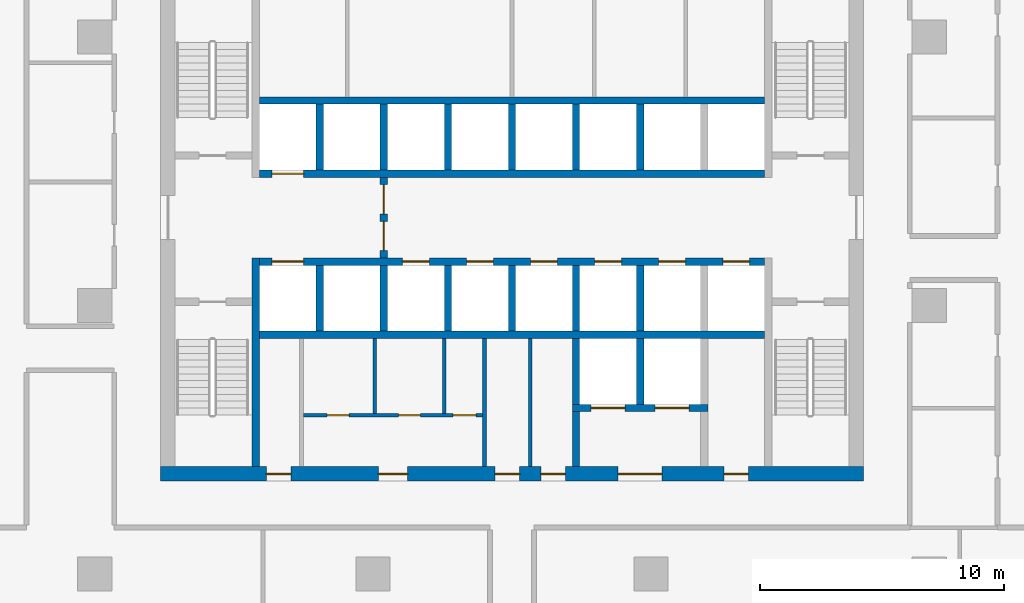
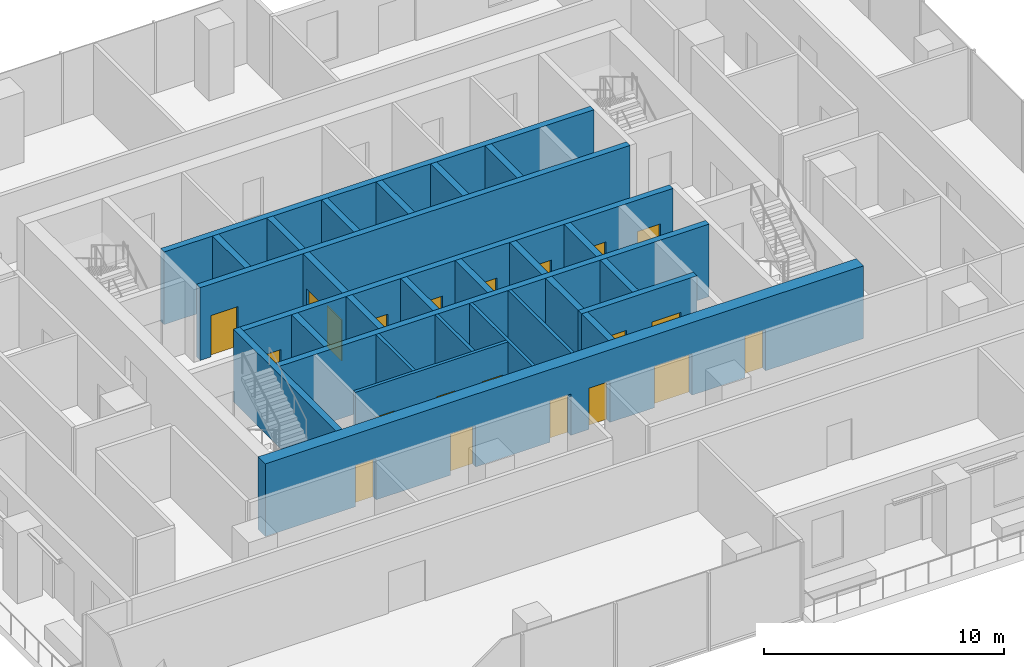
# One storey, part 8 of 14: 28 walls, 21 doors, 21 openings.
"""IFC4 building model written with IfcOpenShell, lengths in metres."""

from ifc_helpers import new_model, si_unit, direction, frame, frame_2d, origin, place, context, subcontext, project, spatial, rectangle, extrude, material, layer, layer_set, type_object, element, fill, save


model = new_model("IFC4")

# Units and contexts
model_context = context("Model", 3, precision=1e-05, world=origin(), true_north=direction((0.0, 1.0)))
body_context = subcontext(model_context, "Body", "Model", "MODEL_VIEW")
ifc_project = project(units=[si_unit("LENGTHUNIT", "METRE"), si_unit("AREAUNIT", "SQUARE_METRE"), si_unit("VOLUMEUNIT", "CUBIC_METRE"), si_unit("PLANEANGLEUNIT", "RADIAN"), si_unit("MASSUNIT", "GRAM", prefix="KILO")], contexts=[model_context])

# Site, building, storey
site_placement = place(None, origin())
site = spatial("IfcSite", under=ifc_project, at=site_placement, CompositionType="ELEMENT")
building_placement = place(site_placement, origin())
building = spatial("IfcBuilding", under=site, at=building_placement, Name="Mopane Tessera Tower", CompositionType="ELEMENT")
storey_placement = place(building_placement, frame((0.0, 0.0, 185.0)))
storey = spatial("IfcBuildingStorey", under=building, at=storey_placement, Name="L38", CompositionType="ELEMENT", Elevation=185.0)

# Wall, openings, doors
ifc_material_1 = material(Name="Fire-rated gypsum board partition")
ifc_layer_1 = layer(ifc_material_1, 0.14990234375)
ifc_layer_set_1 = layer_set([ifc_layer_1], Name="Fire-rated gypsum board partition")
wall_type_1 = type_object("IfcWallType", Name="Core room partition 150 mm", PredefinedType="PARTITIONING", material=ifc_layer_set_1)
wall_1_placement = place(storey_placement, frame((-8.550048828125, -4.5, 0.0), z_axis=(0.0, 0.0, 1.0), x_axis=(1.0, 0.0, 0.0)))
wall_1 = element("IfcWall", 1, at=wall_1_placement, inside=storey, type_object=wall_type_1, Name="L38 WC partition", PredefinedType="PARTITIONING", context=body_context, shape_type="SweptSolid", body=[
    extrude(rectangle(XDim=7.35009765625, YDim=0.14990234375, at=frame_2d((3.675048828125, 0.0))), origin(), (0.0, 0.0, 1.0), 3.699951171875),
])
opening_1_placement = place(wall_1_placement, frame((0.97509765625, 0.0, 0.0)))
opening_1 = element("IfcOpeningElement", 2, at=opening_1_placement, cuts=wall_1, Name="Opening WD1", PredefinedType="OPENING", context=body_context, shape_type="SweptSolid", body=[
    extrude(rectangle(XDim=0.89990234375, YDim=2.10009765625, at=frame_2d((0.449951171875, 1.050048828125))), frame((0.0, 0.0869140625, 0.0), z_axis=(0.0, -1.0, 0.0), x_axis=(1.0, 0.0, 0.0)), (0.0, 0.0, 1.0), 0.173828125),
])
opening_2_placement = place(wall_1_placement, frame((3.89990234375, 0.0, 0.0)))
opening_2 = element("IfcOpeningElement", 3, at=opening_2_placement, cuts=wall_1, Name="Opening WD1", PredefinedType="OPENING", context=body_context, shape_type="SweptSolid", body=[
    extrude(rectangle(XDim=0.89990234375, YDim=2.10009765625, at=frame_2d((0.449951171875, 1.050048828125))), frame((0.0, 0.0869140625, 0.0), z_axis=(0.0, -1.0, 0.0), x_axis=(1.0, 0.0, 0.0)), (0.0, 0.0, 1.0), 0.173828125),
])
opening_3_placement = place(wall_1_placement, frame((6.125, 0.0, 0.0)))
opening_3 = element("IfcOpeningElement", 4, at=opening_3_placement, cuts=wall_1, Name="Opening WD2", PredefinedType="OPENING", context=body_context, shape_type="SweptSolid", body=[
    extrude(rectangle(XDim=0.949951171875, YDim=2.10009765625, at=frame_2d((0.47509765625, 1.050048828125))), frame((0.0, 0.0869140625, 0.0), z_axis=(0.0, -1.0, 0.0), x_axis=(1.0, 0.0, 0.0)), (0.0, 0.0, 1.0), 0.173828125),
])
ifc_material_2 = material(Name="Timber door", Category="wood")
door_type_1 = type_object("IfcDoorType", Name="Accessible WC door 950 x 2100", OperationType="SINGLE_SWING_LEFT", PredefinedType="DOOR", material=ifc_material_2)
door_1_placement = place(opening_3_placement, origin())
door_1 = element("IfcDoor", 5, at=door_1_placement, inside=storey, type_object=door_type_1, Name="L38 Accessible WC door", OperationType="SINGLE_SWING_LEFT", OverallHeight=2.10009765625, OverallWidth=0.949951171875, PredefinedType="DOOR", context=body_context, shape_type="SweptSolid", body=[
    extrude(rectangle(XDim=0.949951171875, YDim=2.10009765625, at=frame_2d((0.47509765625, 1.050048828125))), frame((0.0, 0.02490234375, 0.0), z_axis=(0.0, -1.0, 0.0), x_axis=(1.0, 0.0, 0.0)), (0.0, 0.0, 1.0), 0.050048828125),
])
fill(opening_3, door_1)
ifc_material_3 = material(Name="Timber door", Category="wood")
door_type_2 = type_object("IfcDoorType", Name="WC cubicle door 900 x 2100", OperationType="SINGLE_SWING_LEFT", PredefinedType="DOOR", material=ifc_material_3)
door_2_placement = place(opening_1_placement, origin())
door_2 = element("IfcDoor", 6, at=door_2_placement, inside=storey, type_object=door_type_2, Name="L38 Men's WC door", OperationType="SINGLE_SWING_LEFT", OverallHeight=2.10009765625, OverallWidth=0.89990234375, PredefinedType="DOOR", context=body_context, shape_type="SweptSolid", body=[
    extrude(rectangle(XDim=0.89990234375, YDim=2.10009765625, at=frame_2d((0.449951171875, 1.050048828125))), frame((0.0, 0.02490234375, 0.0), z_axis=(0.0, -1.0, 0.0), x_axis=(1.0, 0.0, 0.0)), (0.0, 0.0, 1.0), 0.050048828125),
])
fill(opening_1, door_2)
door_3_placement = place(opening_2_placement, origin())
door_3 = element("IfcDoor", 7, at=door_3_placement, inside=storey, type_object=door_type_2, Name="L38 Women's WC door", OperationType="SINGLE_SWING_LEFT", OverallHeight=2.10009765625, OverallWidth=0.89990234375, PredefinedType="DOOR", context=body_context, shape_type="SweptSolid", body=[
    extrude(rectangle(XDim=0.89990234375, YDim=2.10009765625, at=frame_2d((0.449951171875, 1.050048828125))), frame((0.0, 0.02490234375, 0.0), z_axis=(0.0, -1.0, 0.0), x_axis=(1.0, 0.0, 0.0)), (0.0, 0.0, 1.0), 0.050048828125),
])
fill(opening_2, door_3)

# Walls
for number, where, z_axis, x_axis, name in (
    (8, (-5.625, -4.425048828125, 0.0), (0.0, 0.0, 1.0), (0.0, 1.0, 0.0), "L38 WC partition"),
    (9, (-2.77490234375, -4.425048828125, 0.0), (0.0, 0.0, 1.0), (0.0, 1.0, 0.0), "L38 WC partition"),
):
    element("IfcWall", number, at=place(storey_placement, frame(where, z_axis=z_axis, x_axis=x_axis)), inside=storey, type_object=wall_type_1, Name=name, PredefinedType="PARTITIONING", context=body_context, shape_type="SweptSolid", body=[
        extrude(rectangle(XDim=3.074951171875, YDim=0.14990234375, at=frame_2d((1.53759765625, 0.0))), origin(), (0.0, 0.0, 1.0), 3.699951171875),
    ])
for number, where, z_axis, x_axis, name in (
    (10, (-1.125, -6.60009765625, 0.0), (0.0, 0.0, 1.0), (0.0, 1.0, 0.0), "L38 Room partition"),
    (11, (0.75, -6.60009765625, 0.0), (0.0, 0.0, 1.0), (0.0, 1.0, 0.0), "L38 Room partition"),
):
    element("IfcWall", number, at=place(storey_placement, frame(where, z_axis=z_axis, x_axis=x_axis)), inside=storey, type_object=wall_type_1, Name=name, PredefinedType="PARTITIONING", context=body_context, shape_type="SweptSolid", body=[
        extrude(rectangle(XDim=5.25, YDim=0.14990234375, at=frame_2d((2.625, 0.0))), origin(), (0.0, 0.0, 1.0), 3.699951171875),
    ])

# Wall, openings, doors
ifc_material_4 = material(Name="Concrete C70/85", Category="concrete")
ifc_layer_2 = layer(ifc_material_4, 0.60009765625)
ifc_layer_set_2 = layer_set([ifc_layer_2], Name="Concrete C70/85")
wall_type_2 = type_object("IfcWallType", Name="Core shear wall 600 mm", PredefinedType="SHEAR", material=ifc_layer_set_2)
wall_2_placement = place(storey_placement, frame((-14.39990234375, -6.89990234375, 0.0), z_axis=(0.0, 0.0, 1.0), x_axis=(1.0, 0.0, 0.0)))
wall_2 = element("IfcWall", 12, at=wall_2_placement, inside=storey, type_object=wall_type_2, Name="L38 Core wall south", PredefinedType="SHEAR", context=body_context, shape_type="SweptSolid", body=[
    extrude(rectangle(XDim=28.7998046875, YDim=0.60009765625, at=frame_2d((14.39990234375, 0.0))), origin(), (0.0, 0.0, 1.0), 3.699951171875),
])
opening_4_placement = place(wall_2_placement, frame((4.33740234375, 0.0, 0.0)))
opening_4 = element("IfcOpeningElement", 13, at=opening_4_placement, cuts=wall_2, Name="Opening RD1", PredefinedType="OPENING", context=body_context, shape_type="SweptSolid", body=[
    extrude(rectangle(XDim=1.0, YDim=2.10009765625, at=frame_2d((0.5, 1.050048828125))), frame((0.0, 0.31201171875, 0.0), z_axis=(0.0, -1.0, 0.0), x_axis=(1.0, 0.0, 0.0)), (0.0, 0.0, 1.0), 0.6240234375),
])
opening_5_placement = place(wall_2_placement, frame((8.925048828125, 0.0, 0.0)))
opening_5 = element("IfcOpeningElement", 14, at=opening_5_placement, cuts=wall_2, Name="Opening WD3", PredefinedType="OPENING", context=body_context, shape_type="SweptSolid", body=[
    extrude(rectangle(XDim=1.199951171875, YDim=2.10009765625, at=frame_2d((0.60009765625, 1.050048828125))), frame((0.0, 0.31201171875, 0.0), z_axis=(0.0, -1.0, 0.0), x_axis=(1.0, 0.0, 0.0)), (0.0, 0.0, 1.0), 0.6240234375),
])
opening_6_placement = place(wall_2_placement, frame((13.71240234375, 0.0, 0.0)))
opening_6 = element("IfcOpeningElement", 15, at=opening_6_placement, cuts=wall_2, Name="Opening RD1", PredefinedType="OPENING", context=body_context, shape_type="SweptSolid", body=[
    extrude(rectangle(XDim=1.0, YDim=2.10009765625, at=frame_2d((0.5, 1.050048828125))), frame((0.0, 0.31201171875, 0.0), z_axis=(0.0, -1.0, 0.0), x_axis=(1.0, 0.0, 0.0)), (0.0, 0.0, 1.0), 0.6240234375),
])
opening_7_placement = place(wall_2_placement, frame((15.58740234375, 0.0, 0.0)))
opening_7 = element("IfcOpeningElement", 16, at=opening_7_placement, cuts=wall_2, Name="Opening RD1", PredefinedType="OPENING", context=body_context, shape_type="SweptSolid", body=[
    extrude(rectangle(XDim=1.0, YDim=2.10009765625, at=frame_2d((0.5, 1.050048828125))), frame((0.0, 0.31201171875, 0.0), z_axis=(0.0, -1.0, 0.0), x_axis=(1.0, 0.0, 0.0)), (0.0, 0.0, 1.0), 0.6240234375),
])
opening_8_placement = place(wall_2_placement, frame((18.75, 0.0, 0.0)))
opening_8 = element("IfcOpeningElement", 17, at=opening_8_placement, cuts=wall_2, Name="Opening SD2", PredefinedType="OPENING", context=body_context, shape_type="SweptSolid", body=[
    extrude(rectangle(XDim=1.800048828125, YDim=2.10009765625, at=frame_2d((0.89990234375, 1.050048828125))), frame((0.0, 0.31201171875, 0.0), z_axis=(0.0, -1.0, 0.0), x_axis=(1.0, 0.0, 0.0)), (0.0, 0.0, 1.0), 0.6240234375),
])
opening_9_placement = place(wall_2_placement, frame((23.08740234375, 0.0, 0.0)))
opening_9 = element("IfcOpeningElement", 18, at=opening_9_placement, cuts=wall_2, Name="Opening RD1", PredefinedType="OPENING", context=body_context, shape_type="SweptSolid", body=[
    extrude(rectangle(XDim=1.0, YDim=2.10009765625, at=frame_2d((0.5, 1.050048828125))), frame((0.0, 0.31201171875, 0.0), z_axis=(0.0, -1.0, 0.0), x_axis=(1.0, 0.0, 0.0)), (0.0, 0.0, 1.0), 0.6240234375),
])
ifc_material_5 = material(Name="Steel fire door", Category="steel")
door_type_3 = type_object("IfcDoorType", Name="Core entrance double door 1800 x 2100", OperationType="DOUBLE_DOOR_SINGLE_SWING", PredefinedType="DOOR", material=ifc_material_5)
door_4_placement = place(opening_8_placement, origin())
door_4 = element("IfcDoor", 19, at=door_4_placement, inside=storey, type_object=door_type_3, Name="L38 Service lobby door", OperationType="DOUBLE_DOOR_SINGLE_SWING", OverallHeight=2.10009765625, OverallWidth=1.800048828125, PredefinedType="DOOR", context=body_context, shape_type="SweptSolid", body=[
    extrude(rectangle(XDim=1.800048828125, YDim=2.10009765625, at=frame_2d((0.89990234375, 1.050048828125))), frame((0.0, 0.02490234375, 0.0), z_axis=(0.0, -1.0, 0.0), x_axis=(1.0, 0.0, 0.0)), (0.0, 0.0, 1.0), 0.050048828125),
])
fill(opening_8, door_4)
ifc_material_6 = material(Name="Timber door", Category="wood")
door_type_4 = type_object("IfcDoorType", Name="Core room door 1000 x 2100", OperationType="SINGLE_SWING_LEFT", PredefinedType="DOOR", material=ifc_material_6)
door_5_placement = place(opening_4_placement, origin())
door_5 = element("IfcDoor", 20, at=door_5_placement, inside=storey, type_object=door_type_4, Name="L38 Room door", OperationType="SINGLE_SWING_LEFT", OverallHeight=2.10009765625, OverallWidth=1.0, PredefinedType="DOOR", context=body_context, shape_type="SweptSolid", body=[
    extrude(rectangle(XDim=1.0, YDim=2.10009765625, at=frame_2d((0.5, 1.050048828125))), frame((0.0, 0.02490234375, 0.0), z_axis=(0.0, -1.0, 0.0), x_axis=(1.0, 0.0, 0.0)), (0.0, 0.0, 1.0), 0.050048828125),
])
fill(opening_4, door_5)
door_6_placement = place(opening_6_placement, origin())
door_6 = element("IfcDoor", 21, at=door_6_placement, inside=storey, type_object=door_type_4, Name="L38 Room door", OperationType="SINGLE_SWING_LEFT", OverallHeight=2.10009765625, OverallWidth=1.0, PredefinedType="DOOR", context=body_context, shape_type="SweptSolid", body=[
    extrude(rectangle(XDim=1.0, YDim=2.10009765625, at=frame_2d((0.5, 1.050048828125))), frame((0.0, 0.02490234375, 0.0), z_axis=(0.0, -1.0, 0.0), x_axis=(1.0, 0.0, 0.0)), (0.0, 0.0, 1.0), 0.050048828125),
])
fill(opening_6, door_6)
door_7_placement = place(opening_7_placement, origin())
door_7 = element("IfcDoor", 22, at=door_7_placement, inside=storey, type_object=door_type_4, Name="L38 Room door", OperationType="SINGLE_SWING_LEFT", OverallHeight=2.10009765625, OverallWidth=1.0, PredefinedType="DOOR", context=body_context, shape_type="SweptSolid", body=[
    extrude(rectangle(XDim=1.0, YDim=2.10009765625, at=frame_2d((0.5, 1.050048828125))), frame((0.0, 0.02490234375, 0.0), z_axis=(0.0, -1.0, 0.0), x_axis=(1.0, 0.0, 0.0)), (0.0, 0.0, 1.0), 0.050048828125),
])
fill(opening_7, door_7)
door_8_placement = place(opening_9_placement, origin())
door_8 = element("IfcDoor", 23, at=door_8_placement, inside=storey, type_object=door_type_4, Name="L38 Room door", OperationType="SINGLE_SWING_LEFT", OverallHeight=2.10009765625, OverallWidth=1.0, PredefinedType="DOOR", context=body_context, shape_type="SweptSolid", body=[
    extrude(rectangle(XDim=1.0, YDim=2.10009765625, at=frame_2d((0.5, 1.050048828125))), frame((0.0, 0.02490234375, 0.0), z_axis=(0.0, -1.0, 0.0), x_axis=(1.0, 0.0, 0.0)), (0.0, 0.0, 1.0), 0.050048828125),
])
fill(opening_9, door_8)
ifc_material_7 = material(Name="Timber door", Category="wood")
door_type_5 = type_object("IfcDoorType", Name="WC lobby door 1200 x 2100", OperationType="SINGLE_SWING_LEFT", PredefinedType="DOOR", material=ifc_material_7)
door_9_placement = place(opening_5_placement, origin())
door_9 = element("IfcDoor", 24, at=door_9_placement, inside=storey, type_object=door_type_5, Name="L38 WC lobby door", OperationType="SINGLE_SWING_LEFT", OverallHeight=2.10009765625, OverallWidth=1.199951171875, PredefinedType="DOOR", context=body_context, shape_type="SweptSolid", body=[
    extrude(rectangle(XDim=1.199951171875, YDim=2.10009765625, at=frame_2d((0.60009765625, 1.050048828125))), frame((0.0, 0.02490234375, 0.0), z_axis=(0.0, -1.0, 0.0), x_axis=(1.0, 0.0, 0.0)), (0.0, 0.0, 1.0), 0.050048828125),
])
fill(opening_5, door_9)

# Walls
ifc_material_8 = material(Name="Concrete C60/75", Category="concrete")
ifc_layer_3 = layer(ifc_material_8, 0.300048828125)
ifc_layer_set_3 = layer_set([ifc_layer_3], Name="Concrete C60/75")
wall_type_3 = type_object("IfcWallType", Name="Core spine wall 300 mm", PredefinedType="SHEAR", material=ifc_layer_set_3)
wall_3_placement = place(storey_placement, frame((-10.5, -6.60009765625, 0.0), z_axis=(0.0, 0.0, 1.0), x_axis=(0.0, 1.0, 0.0)))
element("IfcWall", 25, at=wall_3_placement, inside=storey, type_object=wall_type_3, Name="L38 Core spine wall", PredefinedType="SHEAR", context=body_context, shape_type="SweptSolid", body=[
    extrude(rectangle(XDim=8.550048828125, YDim=0.300048828125, at=frame_2d((4.27490234375, 0.0))), origin(), (0.0, 0.0, 1.0), 3.699951171875),
])
ifc_material_9 = material(Name="Concrete C50/60", Category="concrete")
ifc_layer_4 = layer(ifc_material_9, 0.300048828125)
ifc_layer_set_4 = layer_set([ifc_layer_4], Name="Concrete C50/60")
wall_type_4 = type_object("IfcWallType", Name="Lift and stair shaft wall 300 mm", PredefinedType="SOLIDWALL", material=ifc_layer_set_4)
wall_4_placement = place(storey_placement, frame((-10.35009765625, -1.199951171875, 0.0), z_axis=(0.0, 0.0, 1.0), x_axis=(1.0, 0.0, 0.0)))
element("IfcWall", 26, at=wall_4_placement, inside=storey, type_object=wall_type_4, Name="L38 Lift shaft rear wall", PredefinedType="SOLIDWALL", context=body_context, shape_type="SweptSolid", body=[
    extrude(rectangle(XDim=20.7001953125, YDim=0.300048828125, at=frame_2d((10.35009765625, 0.0))), origin(), (0.0, 0.0, 1.0), 3.699951171875),
])

# Wall, openings, doors
wall_5_placement = place(storey_placement, frame((-10.35009765625, 1.800048828125, 0.0), z_axis=(0.0, 0.0, 1.0), x_axis=(1.0, 0.0, 0.0)))
wall_5 = element("IfcWall", 27, at=wall_5_placement, inside=storey, type_object=wall_type_4, Name="L38 Lift shaft front wall", PredefinedType="SOLIDWALL", context=body_context, shape_type="SweptSolid", body=[
    extrude(rectangle(XDim=20.7001953125, YDim=0.300048828125, at=frame_2d((10.35009765625, 0.0))), origin(), (0.0, 0.0, 1.0), 3.699951171875),
])
opening_10_placement = place(wall_5_placement, frame((0.512451171875, 0.0, 0.0)))
opening_10 = element("IfcOpeningElement", 28, at=opening_10_placement, cuts=wall_5, Name="Opening LD2", PredefinedType="OPENING", context=body_context, shape_type="SweptSolid", body=[
    extrude(rectangle(XDim=1.300048828125, YDim=2.10009765625, at=frame_2d((0.64990234375, 1.050048828125))), frame((0.0, 0.162109375, 0.0), z_axis=(0.0, -1.0, 0.0), x_axis=(1.0, 0.0, 0.0)), (0.0, 0.0, 1.0), 0.323974609375),
])
opening_11_placement = place(wall_5_placement, frame((5.862548828125, 0.0, 0.0)))
opening_11 = element("IfcOpeningElement", 29, at=opening_11_placement, cuts=wall_5, Name="Opening LD", PredefinedType="OPENING", context=body_context, shape_type="SweptSolid", body=[
    extrude(rectangle(XDim=1.10009765625, YDim=2.10009765625, at=frame_2d((0.550048828125, 1.050048828125))), frame((0.0, 0.162109375, 0.0), z_axis=(0.0, -1.0, 0.0), x_axis=(1.0, 0.0, 0.0)), (0.0, 0.0, 1.0), 0.323974609375),
])
opening_12_placement = place(wall_5_placement, frame((8.487548828125, 0.0, 0.0)))
opening_12 = element("IfcOpeningElement", 30, at=opening_12_placement, cuts=wall_5, Name="Opening LD", PredefinedType="OPENING", context=body_context, shape_type="SweptSolid", body=[
    extrude(rectangle(XDim=1.10009765625, YDim=2.10009765625, at=frame_2d((0.550048828125, 1.050048828125))), frame((0.0, 0.162109375, 0.0), z_axis=(0.0, -1.0, 0.0), x_axis=(1.0, 0.0, 0.0)), (0.0, 0.0, 1.0), 0.323974609375),
])
opening_13_placement = place(wall_5_placement, frame((11.112548828125, 0.0, 0.0)))
opening_13 = element("IfcOpeningElement", 31, at=opening_13_placement, cuts=wall_5, Name="Opening LD", PredefinedType="OPENING", context=body_context, shape_type="SweptSolid", body=[
    extrude(rectangle(XDim=1.10009765625, YDim=2.10009765625, at=frame_2d((0.550048828125, 1.050048828125))), frame((0.0, 0.162109375, 0.0), z_axis=(0.0, -1.0, 0.0), x_axis=(1.0, 0.0, 0.0)), (0.0, 0.0, 1.0), 0.323974609375),
])
opening_14_placement = place(wall_5_placement, frame((13.737548828125, 0.0, 0.0)))
opening_14 = element("IfcOpeningElement", 32, at=opening_14_placement, cuts=wall_5, Name="Opening LD", PredefinedType="OPENING", context=body_context, shape_type="SweptSolid", body=[
    extrude(rectangle(XDim=1.10009765625, YDim=2.10009765625, at=frame_2d((0.550048828125, 1.050048828125))), frame((0.0, 0.162109375, 0.0), z_axis=(0.0, -1.0, 0.0), x_axis=(1.0, 0.0, 0.0)), (0.0, 0.0, 1.0), 0.323974609375),
])
opening_15_placement = place(wall_5_placement, frame((16.362548828125, 0.0, 0.0)))
opening_15 = element("IfcOpeningElement", 33, at=opening_15_placement, cuts=wall_5, Name="Opening LD", PredefinedType="OPENING", context=body_context, shape_type="SweptSolid", body=[
    extrude(rectangle(XDim=1.10009765625, YDim=2.10009765625, at=frame_2d((0.550048828125, 1.050048828125))), frame((0.0, 0.162109375, 0.0), z_axis=(0.0, -1.0, 0.0), x_axis=(1.0, 0.0, 0.0)), (0.0, 0.0, 1.0), 0.323974609375),
])
opening_16_placement = place(wall_5_placement, frame((18.987548828125, 0.0, 0.0)))
opening_16 = element("IfcOpeningElement", 34, at=opening_16_placement, cuts=wall_5, Name="Opening LD", PredefinedType="OPENING", context=body_context, shape_type="SweptSolid", body=[
    extrude(rectangle(XDim=1.10009765625, YDim=2.10009765625, at=frame_2d((0.550048828125, 1.050048828125))), frame((0.0, 0.162109375, 0.0), z_axis=(0.0, -1.0, 0.0), x_axis=(1.0, 0.0, 0.0)), (0.0, 0.0, 1.0), 0.323974609375),
])
ifc_material_10 = material(Name="Stainless steel sliding door", Category="steel")
door_type_6 = type_object("IfcDoorType", Name="Fire-fighting lift landing door 1300 x 2100", OperationType="DOUBLE_DOOR_SLIDING", PredefinedType="DOOR", material=ifc_material_10)
door_10_placement = place(opening_10_placement, origin())
door_10 = element("IfcDoor", 35, at=door_10_placement, inside=storey, type_object=door_type_6, Name="L38 Lift landing door FF1", OperationType="DOUBLE_DOOR_SLIDING", OverallHeight=2.10009765625, OverallWidth=1.300048828125, PredefinedType="DOOR", context=body_context, shape_type="SweptSolid", body=[
    extrude(rectangle(XDim=1.300048828125, YDim=2.10009765625, at=frame_2d((0.64990234375, 1.050048828125))), frame((0.0, 0.02490234375, 0.0), z_axis=(0.0, -1.0, 0.0), x_axis=(1.0, 0.0, 0.0)), (0.0, 0.0, 1.0), 0.050048828125),
])
fill(opening_10, door_10)
ifc_material_11 = material(Name="Stainless steel sliding door", Category="steel")
door_type_7 = type_object("IfcDoorType", Name="Lift landing door 1100 x 2100", OperationType="DOUBLE_DOOR_SLIDING", PredefinedType="DOOR", material=ifc_material_11)
door_11_placement = place(opening_11_placement, origin())
door_11 = element("IfcDoor", 36, at=door_11_placement, inside=storey, type_object=door_type_7, Name="L38 Lift landing door LR1", OperationType="DOUBLE_DOOR_SLIDING", OverallHeight=2.10009765625, OverallWidth=1.10009765625, PredefinedType="DOOR", context=body_context, shape_type="SweptSolid", body=[
    extrude(rectangle(XDim=1.10009765625, YDim=2.10009765625, at=frame_2d((0.550048828125, 1.050048828125))), frame((0.0, 0.02490234375, 0.0), z_axis=(0.0, -1.0, 0.0), x_axis=(1.0, 0.0, 0.0)), (0.0, 0.0, 1.0), 0.050048828125),
])
fill(opening_11, door_11)
door_12_placement = place(opening_12_placement, origin())
door_12 = element("IfcDoor", 37, at=door_12_placement, inside=storey, type_object=door_type_7, Name="L38 Lift landing door LR2", OperationType="DOUBLE_DOOR_SLIDING", OverallHeight=2.10009765625, OverallWidth=1.10009765625, PredefinedType="DOOR", context=body_context, shape_type="SweptSolid", body=[
    extrude(rectangle(XDim=1.10009765625, YDim=2.10009765625, at=frame_2d((0.550048828125, 1.050048828125))), frame((0.0, 0.02490234375, 0.0), z_axis=(0.0, -1.0, 0.0), x_axis=(1.0, 0.0, 0.0)), (0.0, 0.0, 1.0), 0.050048828125),
])
fill(opening_12, door_12)
door_13_placement = place(opening_13_placement, origin())
door_13 = element("IfcDoor", 38, at=door_13_placement, inside=storey, type_object=door_type_7, Name="L38 Lift landing door LR3", OperationType="DOUBLE_DOOR_SLIDING", OverallHeight=2.10009765625, OverallWidth=1.10009765625, PredefinedType="DOOR", context=body_context, shape_type="SweptSolid", body=[
    extrude(rectangle(XDim=1.10009765625, YDim=2.10009765625, at=frame_2d((0.550048828125, 1.050048828125))), frame((0.0, 0.02490234375, 0.0), z_axis=(0.0, -1.0, 0.0), x_axis=(1.0, 0.0, 0.0)), (0.0, 0.0, 1.0), 0.050048828125),
])
fill(opening_13, door_13)
door_14_placement = place(opening_14_placement, origin())
door_14 = element("IfcDoor", 39, at=door_14_placement, inside=storey, type_object=door_type_7, Name="L38 Lift landing door LR4", OperationType="DOUBLE_DOOR_SLIDING", OverallHeight=2.10009765625, OverallWidth=1.10009765625, PredefinedType="DOOR", context=body_context, shape_type="SweptSolid", body=[
    extrude(rectangle(XDim=1.10009765625, YDim=2.10009765625, at=frame_2d((0.550048828125, 1.050048828125))), frame((0.0, 0.02490234375, 0.0), z_axis=(0.0, -1.0, 0.0), x_axis=(1.0, 0.0, 0.0)), (0.0, 0.0, 1.0), 0.050048828125),
])
fill(opening_14, door_14)
door_15_placement = place(opening_15_placement, origin())
door_15 = element("IfcDoor", 40, at=door_15_placement, inside=storey, type_object=door_type_7, Name="L38 Lift landing door LR5", OperationType="DOUBLE_DOOR_SLIDING", OverallHeight=2.10009765625, OverallWidth=1.10009765625, PredefinedType="DOOR", context=body_context, shape_type="SweptSolid", body=[
    extrude(rectangle(XDim=1.10009765625, YDim=2.10009765625, at=frame_2d((0.550048828125, 1.050048828125))), frame((0.0, 0.02490234375, 0.0), z_axis=(0.0, -1.0, 0.0), x_axis=(1.0, 0.0, 0.0)), (0.0, 0.0, 1.0), 0.050048828125),
])
fill(opening_15, door_15)
door_16_placement = place(opening_16_placement, origin())
door_16 = element("IfcDoor", 41, at=door_16_placement, inside=storey, type_object=door_type_7, Name="L38 Lift landing door LR6", OperationType="DOUBLE_DOOR_SLIDING", OverallHeight=2.10009765625, OverallWidth=1.10009765625, PredefinedType="DOOR", context=body_context, shape_type="SweptSolid", body=[
    extrude(rectangle(XDim=1.10009765625, YDim=2.10009765625, at=frame_2d((0.550048828125, 1.050048828125))), frame((0.0, 0.02490234375, 0.0), z_axis=(0.0, -1.0, 0.0), x_axis=(1.0, 0.0, 0.0)), (0.0, 0.0, 1.0), 0.050048828125),
])
fill(opening_16, door_16)

# Wall, opening, door
wall_6_placement = place(storey_placement, frame((-10.35009765625, 5.39990234375, 0.0), z_axis=(0.0, 0.0, 1.0), x_axis=(1.0, 0.0, 0.0)))
wall_6 = element("IfcWall", 42, at=wall_6_placement, inside=storey, type_object=wall_type_4, Name="L38 Lift shaft front wall", PredefinedType="SOLIDWALL", context=body_context, shape_type="SweptSolid", body=[
    extrude(rectangle(XDim=20.7001953125, YDim=0.300048828125, at=frame_2d((10.35009765625, 0.0))), origin(), (0.0, 0.0, 1.0), 3.699951171875),
])
opening_17_placement = place(wall_6_placement, frame((0.512451171875, 0.0, 0.0)))
opening_17 = element("IfcOpeningElement", 43, at=opening_17_placement, cuts=wall_6, Name="Opening LD2", PredefinedType="OPENING", context=body_context, shape_type="SweptSolid", body=[
    extrude(rectangle(XDim=1.300048828125, YDim=2.10009765625, at=frame_2d((0.64990234375, 1.050048828125))), frame((0.0, 0.162109375, 0.0), z_axis=(0.0, -1.0, 0.0), x_axis=(1.0, 0.0, 0.0)), (0.0, 0.0, 1.0), 0.323974609375),
])
door_17_placement = place(opening_17_placement, origin())
door_17 = element("IfcDoor", 44, at=door_17_placement, inside=storey, type_object=door_type_6, Name="L38 Lift landing door FF2", OperationType="DOUBLE_DOOR_SLIDING", OverallHeight=2.10009765625, OverallWidth=1.300048828125, PredefinedType="DOOR", context=body_context, shape_type="SweptSolid", body=[
    extrude(rectangle(XDim=1.300048828125, YDim=2.10009765625, at=frame_2d((0.64990234375, 1.050048828125))), frame((0.0, 0.02490234375, 0.0), z_axis=(0.0, -1.0, 0.0), x_axis=(1.0, 0.0, 0.0)), (0.0, 0.0, 1.0), 0.050048828125),
])
fill(opening_17, door_17)

# Walls
wall_7_placement = place(storey_placement, frame((-10.35009765625, 8.39990234375, 0.0), z_axis=(0.0, 0.0, 1.0), x_axis=(1.0, 0.0, 0.0)))
element("IfcWall", 45, at=wall_7_placement, inside=storey, type_object=wall_type_4, Name="L38 Lift shaft rear wall", PredefinedType="SOLIDWALL", context=body_context, shape_type="SweptSolid", body=[
    extrude(rectangle(XDim=20.7001953125, YDim=0.300048828125, at=frame_2d((10.35009765625, 0.0))), origin(), (0.0, 0.0, 1.0), 3.699951171875),
])
for number, where, z_axis, x_axis, name in (
    (46, (-7.875, -1.050048828125, 0.0), (0.0, 0.0, 1.0), (0.0, 1.0, 0.0), "L38 Lift shaft wall"),
    (47, (-5.25, -1.050048828125, 0.0), (0.0, 0.0, 1.0), (0.0, 1.0, 0.0), "L38 Lift shaft wall"),
    (48, (-2.625, -1.050048828125, 0.0), (0.0, 0.0, 1.0), (0.0, 1.0, 0.0), "L38 Lift shaft wall"),
    (49, (0.0, -1.050048828125, 0.0), (0.0, 0.0, 1.0), (0.0, 1.0, 0.0), "L38 Lift shaft wall"),
    (50, (2.625, -1.050048828125, 0.0), (0.0, 0.0, 1.0), (0.0, 1.0, 0.0), "L38 Lift shaft wall"),
    (51, (5.25, -1.050048828125, 0.0), (0.0, 0.0, 1.0), (0.0, 1.0, 0.0), "L38 Lift shaft wall"),
    (52, (-7.875, 5.550048828125, 0.0), (0.0, 0.0, 1.0), (0.0, 1.0, 0.0), "L38 Lift shaft wall"),
    (53, (-5.25, 5.550048828125, 0.0), (0.0, 0.0, 1.0), (0.0, 1.0, 0.0), "L38 Lift shaft wall"),
    (54, (-2.625, 5.550048828125, 0.0), (0.0, 0.0, 1.0), (0.0, 1.0, 0.0), "L38 Lift shaft wall"),
    (55, (0.0, 5.550048828125, 0.0), (0.0, 0.0, 1.0), (0.0, 1.0, 0.0), "L38 Lift shaft wall"),
    (56, (2.625, 5.550048828125, 0.0), (0.0, 0.0, 1.0), (0.0, 1.0, 0.0), "L38 Lift shaft wall"),
    (57, (5.25, 5.550048828125, 0.0), (0.0, 0.0, 1.0), (0.0, 1.0, 0.0), "L38 Lift shaft wall"),
):
    element("IfcWall", number, at=place(storey_placement, frame(where, z_axis=z_axis, x_axis=x_axis)), inside=storey, type_object=wall_type_4, Name=name, PredefinedType="SOLIDWALL", context=body_context, shape_type="SweptSolid", body=[
        extrude(rectangle(XDim=2.699951171875, YDim=0.300048828125, at=frame_2d((1.35009765625, 0.0))), origin(), (0.0, 0.0, 1.0), 3.699951171875),
    ])

# Wall, openings, doors
wall_8_placement = place(storey_placement, frame((2.47509765625, -4.199951171875, 0.0), z_axis=(0.0, 0.0, 1.0), x_axis=(1.0, 0.0, 0.0)))
wall_8 = element("IfcWall", 58, at=wall_8_placement, inside=storey, type_object=wall_type_4, Name="L38 Lift shaft front wall", PredefinedType="SOLIDWALL", context=body_context, shape_type="SweptSolid", body=[
    extrude(rectangle(XDim=5.5498046875, YDim=0.300048828125, at=frame_2d((2.77490234375, 0.0))), origin(), (0.0, 0.0, 1.0), 3.699951171875),
])
opening_18_placement = place(wall_8_placement, frame((0.762451171875, 0.0, 0.0)))
opening_18 = element("IfcOpeningElement", 59, at=opening_18_placement, cuts=wall_8, Name="Opening LD3", PredefinedType="OPENING", context=body_context, shape_type="SweptSolid", body=[
    extrude(rectangle(XDim=1.39990234375, YDim=2.10009765625, at=frame_2d((0.699951171875, 1.050048828125))), frame((0.0, 0.162109375, 0.0), z_axis=(0.0, -1.0, 0.0), x_axis=(1.0, 0.0, 0.0)), (0.0, 0.0, 1.0), 0.323974609375),
])
opening_19_placement = place(wall_8_placement, frame((3.387451171875, 0.0, 0.0)))
opening_19 = element("IfcOpeningElement", 60, at=opening_19_placement, cuts=wall_8, Name="Opening LD3", PredefinedType="OPENING", context=body_context, shape_type="SweptSolid", body=[
    extrude(rectangle(XDim=1.39990234375, YDim=2.10009765625, at=frame_2d((0.699951171875, 1.050048828125))), frame((0.0, 0.162109375, 0.0), z_axis=(0.0, -1.0, 0.0), x_axis=(1.0, 0.0, 0.0)), (0.0, 0.0, 1.0), 0.323974609375),
])
ifc_material_12 = material(Name="Stainless steel sliding door", Category="steel")
door_type_8 = type_object("IfcDoorType", Name="Service lift landing door 1400 x 2100", OperationType="DOUBLE_DOOR_SLIDING", PredefinedType="DOOR", material=ifc_material_12)
door_18_placement = place(opening_18_placement, origin())
door_18 = element("IfcDoor", 61, at=door_18_placement, inside=storey, type_object=door_type_8, Name="L38 Lift landing door SV1", OperationType="DOUBLE_DOOR_SLIDING", OverallHeight=2.10009765625, OverallWidth=1.39990234375, PredefinedType="DOOR", context=body_context, shape_type="SweptSolid", body=[
    extrude(rectangle(XDim=1.39990234375, YDim=2.10009765625, at=frame_2d((0.699951171875, 1.050048828125))), frame((0.0, 0.02490234375, 0.0), z_axis=(0.0, -1.0, 0.0), x_axis=(1.0, 0.0, 0.0)), (0.0, 0.0, 1.0), 0.050048828125),
])
fill(opening_18, door_18)
door_19_placement = place(opening_19_placement, origin())
door_19 = element("IfcDoor", 62, at=door_19_placement, inside=storey, type_object=door_type_8, Name="L38 Lift landing door SV2", OperationType="DOUBLE_DOOR_SLIDING", OverallHeight=2.10009765625, OverallWidth=1.39990234375, PredefinedType="DOOR", context=body_context, shape_type="SweptSolid", body=[
    extrude(rectangle(XDim=1.39990234375, YDim=2.10009765625, at=frame_2d((0.699951171875, 1.050048828125))), frame((0.0, 0.02490234375, 0.0), z_axis=(0.0, -1.0, 0.0), x_axis=(1.0, 0.0, 0.0)), (0.0, 0.0, 1.0), 0.050048828125),
])
fill(opening_19, door_19)

# Walls
for number, where, z_axis, x_axis, name in (
    (63, (2.625, -4.050048828125, 0.0), (0.0, 0.0, 1.0), (0.0, 1.0, 0.0), "L38 Lift shaft wall"),
    (64, (5.25, -4.050048828125, 0.0), (0.0, 0.0, 1.0), (0.0, 1.0, 0.0), "L38 Lift shaft wall"),
):
    element("IfcWall", number, at=place(storey_placement, frame(where, z_axis=z_axis, x_axis=x_axis)), inside=storey, type_object=wall_type_4, Name=name, PredefinedType="SOLIDWALL", context=body_context, shape_type="SweptSolid", body=[
        extrude(rectangle(XDim=2.699951171875, YDim=0.300048828125, at=frame_2d((1.35009765625, 0.0))), origin(), (0.0, 0.0, 1.0), 3.699951171875),
    ])

# Wall, openings, doors
ifc_material_13 = material(Name="Concrete C50/60", Category="concrete")
ifc_layer_5 = layer(ifc_material_13, 0.300048828125)
ifc_layer_set_5 = layer_set([ifc_layer_5], Name="Concrete C50/60")
wall_type_5 = type_object("IfcWallType", Name="Lobby and refuge room wall 300 mm", PredefinedType="SOLIDWALL", material=ifc_layer_set_5)
wall_9_placement = place(storey_placement, frame((-5.25, 1.949951171875, 0.0), z_axis=(0.0, 0.0, 1.0), x_axis=(0.0, 1.0, 0.0)))
wall_9 = element("IfcWall", 65, at=wall_9_placement, inside=storey, type_object=wall_type_5, Name="L38 Fire-fighting lobby wall", PredefinedType="SOLIDWALL", context=body_context, shape_type="SweptSolid", body=[
    extrude(rectangle(XDim=3.300048828125, YDim=0.300048828125, at=frame_2d((1.64990234375, 0.0))), origin(), (0.0, 0.0, 1.0), 3.699951171875),
])
opening_20_placement = place(wall_9_placement, frame((0.300048828125, 0.0, 0.0)))
opening_20 = element("IfcOpeningElement", 66, at=opening_20_placement, cuts=wall_9, Name="Opening SD3", PredefinedType="OPENING", context=body_context, shape_type="SweptSolid", body=[
    extrude(rectangle(XDim=1.199951171875, YDim=2.10009765625, at=frame_2d((0.60009765625, 1.050048828125))), frame((0.0, 0.162109375, 0.0), z_axis=(0.0, -1.0, 0.0), x_axis=(1.0, 0.0, 0.0)), (0.0, 0.0, 1.0), 0.323974609375),
])
opening_21_placement = place(wall_9_placement, frame((1.800048828125, 0.0, 0.0)))
opening_21 = element("IfcOpeningElement", 67, at=opening_21_placement, cuts=wall_9, Name="Opening SD3", PredefinedType="OPENING", context=body_context, shape_type="SweptSolid", body=[
    extrude(rectangle(XDim=1.199951171875, YDim=2.10009765625, at=frame_2d((0.60009765625, 1.050048828125))), frame((0.0, 0.162109375, 0.0), z_axis=(0.0, -1.0, 0.0), x_axis=(1.0, 0.0, 0.0)), (0.0, 0.0, 1.0), 0.323974609375),
])
ifc_material_14 = material(Name="Steel fire door", Category="steel")
door_type_9 = type_object("IfcDoorType", Name="Lobby fire door 1200 x 2100", OperationType="SINGLE_SWING_LEFT", PredefinedType="DOOR", material=ifc_material_14)
door_20_placement = place(opening_20_placement, origin())
door_20 = element("IfcDoor", 68, at=door_20_placement, inside=storey, type_object=door_type_9, Name="L38 Fire-fighting lobby door", OperationType="SINGLE_SWING_LEFT", OverallHeight=2.10009765625, OverallWidth=1.199951171875, PredefinedType="DOOR", context=body_context, shape_type="SweptSolid", body=[
    extrude(rectangle(XDim=1.199951171875, YDim=2.10009765625, at=frame_2d((0.60009765625, 1.050048828125))), frame((0.0, 0.02490234375, 0.0), z_axis=(0.0, -1.0, 0.0), x_axis=(1.0, 0.0, 0.0)), (0.0, 0.0, 1.0), 0.050048828125),
])
fill(opening_20, door_20)
door_21_placement = place(opening_21_placement, origin())
door_21 = element("IfcDoor", 69, at=door_21_placement, inside=storey, type_object=door_type_9, Name="L38 Fire-fighting lobby door", OperationType="SINGLE_SWING_RIGHT", OverallHeight=2.10009765625, OverallWidth=1.199951171875, PredefinedType="DOOR", context=body_context, shape_type="SweptSolid", body=[
    extrude(rectangle(XDim=1.199951171875, YDim=2.10009765625, at=frame_2d((0.60009765625, 1.050048828125))), frame((0.0, 0.02490234375, 0.0), z_axis=(0.0, -1.0, 0.0), x_axis=(1.0, 0.0, 0.0)), (0.0, 0.0, 1.0), 0.050048828125),
])
fill(opening_21, door_21)

# Wall
wall_10_placement = place(storey_placement, frame((2.625, -6.60009765625, 0.0), z_axis=(0.0, 0.0, 1.0), x_axis=(0.0, 1.0, 0.0)))
element("IfcWall", 70, at=wall_10_placement, inside=storey, type_object=wall_type_5, Name="L38 Service lobby wall", PredefinedType="SOLIDWALL", context=body_context, shape_type="SweptSolid", body=[
    extrude(rectangle(XDim=2.25, YDim=0.300048828125, at=frame_2d((1.125, 0.0))), origin(), (0.0, 0.0, 1.0), 3.699951171875),
])

save(model, "model.ifc")
